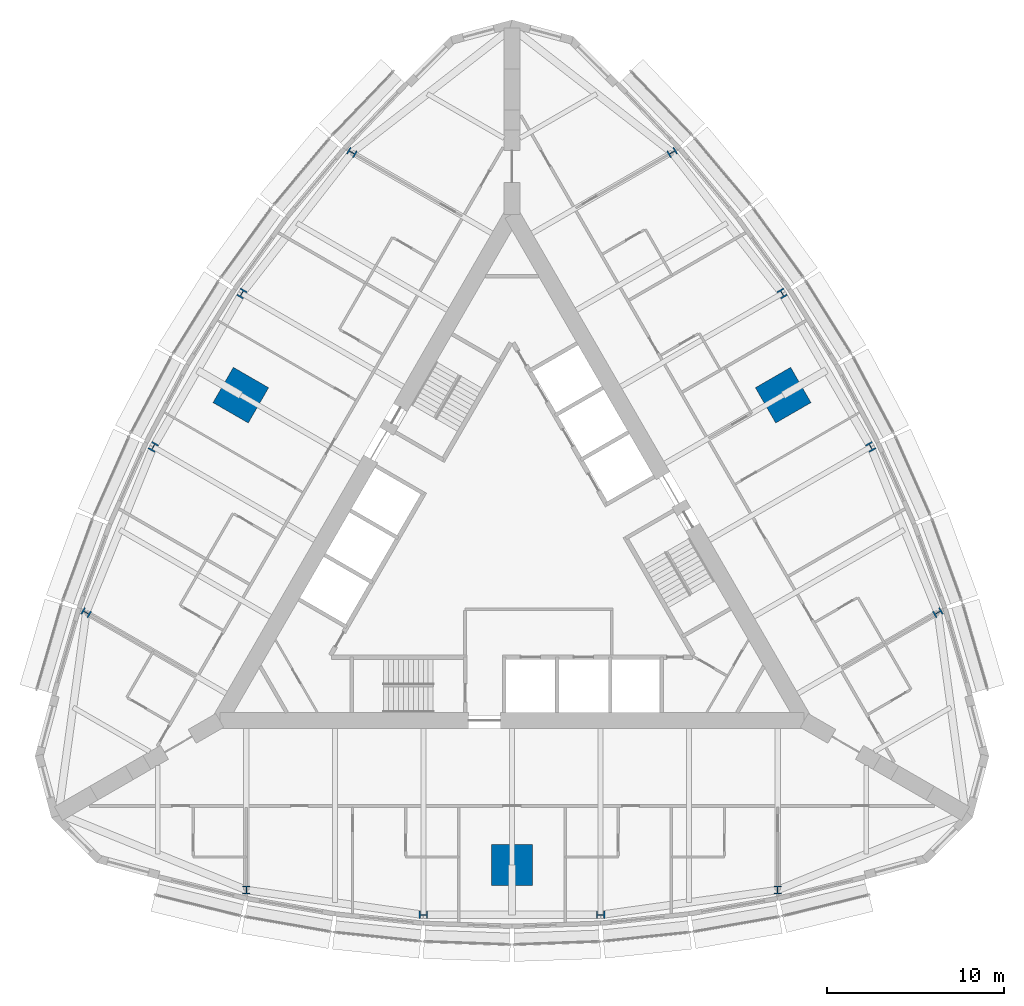
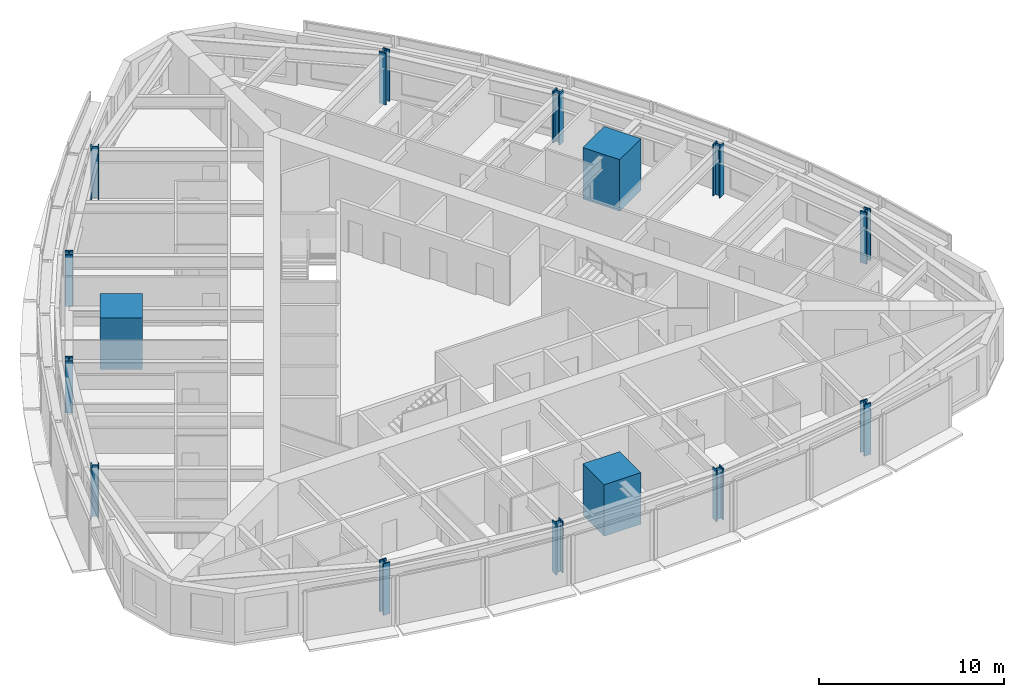
# One storey, part 1 of 14: 15 columns.
"""IFC4 building model written with IfcOpenShell, lengths in metres."""

from ifc_helpers import new_model, si_unit, direction, frame, origin, origin_2d, place, context, subcontext, project, spatial, rectangle, i_section, extrude, material, material_profile, profile_set, type_object, element, save


model = new_model("IFC4")

# Units and contexts
model_context = context("Model", 3, precision=1e-05, world=origin(), true_north=direction((0.0, 1.0)))
body_context = subcontext(model_context, "Body", "Model", "MODEL_VIEW")
ifc_project = project(units=[si_unit("LENGTHUNIT", "METRE"), si_unit("AREAUNIT", "SQUARE_METRE"), si_unit("VOLUMEUNIT", "CUBIC_METRE"), si_unit("PLANEANGLEUNIT", "RADIAN"), si_unit("MASSUNIT", "GRAM", prefix="KILO")], contexts=[model_context])

# Site, building, storey
site_placement = place(None, origin())
site = spatial("IfcSite", under=ifc_project, at=site_placement, CompositionType="ELEMENT")
building_placement = place(site_placement, origin())
building = spatial("IfcBuilding", under=site, at=building_placement, Name="Trikona Tower", CompositionType="ELEMENT")
storey_placement = place(building_placement, frame((0.0, 0.0, 172.5)))
storey = spatial("IfcBuildingStorey", under=building, at=storey_placement, Name="L46", CompositionType="ELEMENT", Elevation=172.5)

# Columns
ifc_material_1 = material(Name="Concrete f'c 10000 psi with encased steel section", Category="concrete")
ifc_material_profile_1 = material_profile(ifc_material_1, rectangle(XDim=2.300048828125, YDim=2.300048828125, at=origin_2d()), Name="MC2300")
ifc_profile_set_1 = profile_set([ifc_material_profile_1], Name="Concrete f'c 10000 psi with encased steel section")
column_type_1 = type_object("IfcColumnType", Name="Composite mega column 2300x2300", PredefinedType="COLUMN", material=ifc_profile_set_1)
for number, where, z_axis, x_axis, name in (
    (1, (0.0, -17.680419921875, 0.0), (0.0, 0.0, 1.0), (0.0, -1.0, 0.0), "Mega column MC1"),
    (2, (15.311767578125, 8.84033203125, 0.0), (0.0, 0.0, 1.0), (0.866025403784, 0.5, 0.0), "Mega column MC2"),
    (3, (-15.311767578125, 8.84033203125, 0.0), (0.0, 0.0, 1.0), (-0.866025403784, 0.5, 0.0), "Mega column MC3"),
):
    element("IfcColumn", number, at=place(storey_placement, frame(where, z_axis=z_axis, x_axis=x_axis)), inside=storey, type_object=column_type_1, Name=name, PredefinedType="COLUMN", context=body_context, shape_type="SweptSolid", body=[
        extrude(rectangle(XDim=2.300048828125, YDim=2.300048828125, at=origin_2d()), origin(), (0.0, 0.0, 1.0), 3.39990234375),
    ])
ifc_material_2 = material(Name="Steel ASTM A992 Grade 50", Category="steel")
ifc_material_profile_2 = material_profile(ifc_material_2, i_section(OverallWidth=0.424072265625, OverallDepth=0.47509765625, WebThickness=0.0478515625, FlangeThickness=0.0771484375, at=origin_2d()), Name="W14X426")
ifc_profile_set_2 = profile_set([ifc_material_profile_2], Name="Steel ASTM A992 Grade 50")
column_type_2 = type_object("IfcColumnType", Name="Steel column W14x426", PredefinedType="COLUMN", material=ifc_profile_set_2)
for number, where, z_axis, x_axis, name in (
    (4, (-15.0, -19.10009765625, 0.0), (0.0, 0.0, 1.0), (1.0, 0.0, 0.0), "Column F0m15"),
    (5, (-5.0, -20.500244140625, 0.0), (0.0, 0.0, 1.0), (0.0, -1.0, 0.0), "Column F0m5"),
    (6, (5.0, -20.500244140625, 0.0), (0.0, 0.0, 1.0), (0.0, -1.0, 0.0), "Column F0p5"),
    (7, (15.0, -19.10009765625, 0.0), (0.0, 0.0, 1.0), (1.0, 0.0, 0.0), "Column F0p15"),
    (8, (24.041259765625, -3.440185546875, 0.0), (0.0, 0.0, 1.0), (-0.5, 0.866025403784, 0.0), "Column F1m15"),
    (9, (20.253662109375, 5.919921875, 0.0), (0.0, 0.0, 1.0), (0.866025403784, 0.5, 0.0), "Column F1m5"),
    (10, (15.253662109375, 14.580078125, 0.0), (0.0, 0.0, 1.0), (0.866025403784, 0.5, 0.0), "Column F1p5"),
    (11, (9.041259765625, 22.54052734375, 0.0), (0.0, 0.0, 1.0), (-0.5, 0.866025403784, 0.0), "Column F1p15"),
    (12, (-9.041259765625, 22.54052734375, 0.0), (0.0, 0.0, 1.0), (-0.5, -0.866025403784, 0.0), "Column F2m15"),
    (13, (-15.253662109375, 14.580078125, 0.0), (0.0, 0.0, 1.0), (-0.866025403784, 0.5, 0.0), "Column F2m5"),
    (14, (-20.253662109375, 5.919921875, 0.0), (0.0, 0.0, 1.0), (-0.866025403784, 0.5, 0.0), "Column F2p5"),
    (15, (-24.041259765625, -3.440185546875, 0.0), (0.0, 0.0, 1.0), (-0.5, -0.866025403784, 0.0), "Column F2p15"),
):
    element("IfcColumn", number, at=place(storey_placement, frame(where, z_axis=z_axis, x_axis=x_axis)), inside=storey, type_object=column_type_2, Name=name, PredefinedType="COLUMN", context=body_context, shape_type="SweptSolid", body=[
        extrude(i_section(OverallWidth=0.424072265625, OverallDepth=0.47509765625, WebThickness=0.0478515625, FlangeThickness=0.0771484375, at=origin_2d()), origin(), (0.0, 0.0, 1.0), 3.39990234375),
    ])

save(model, "model.ifc")
